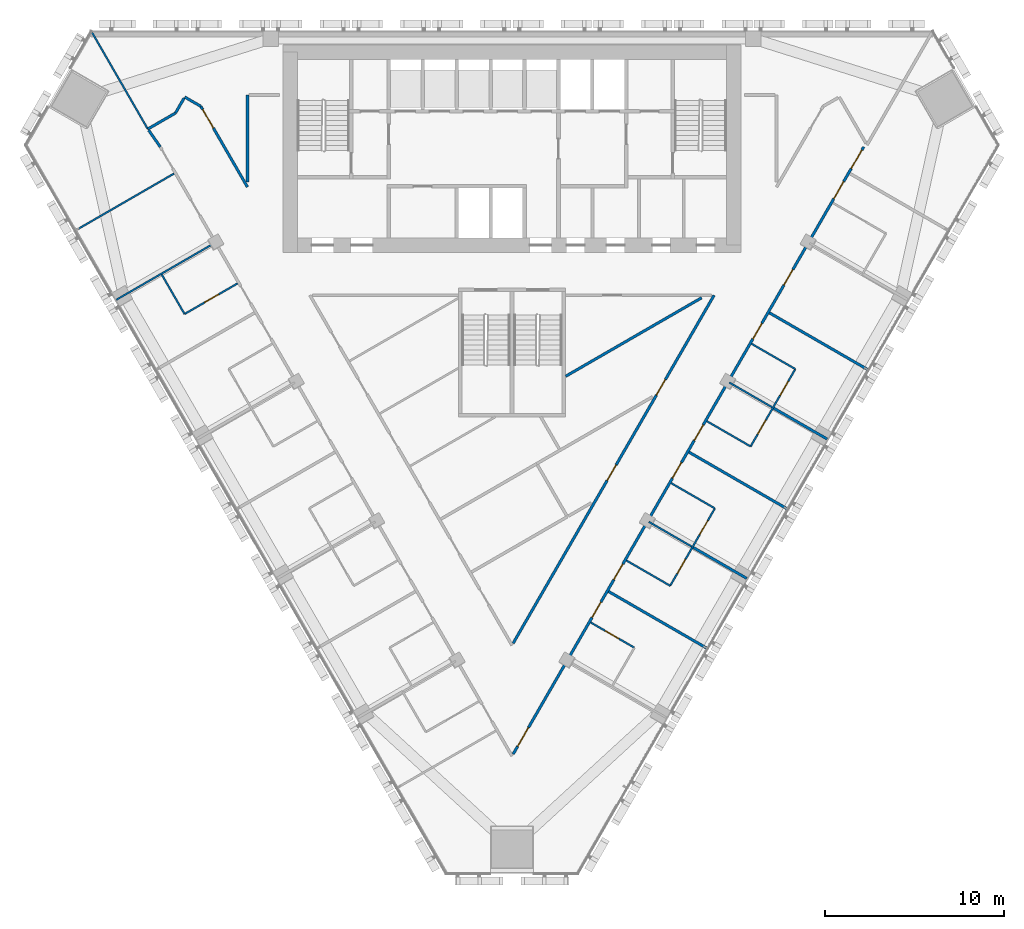
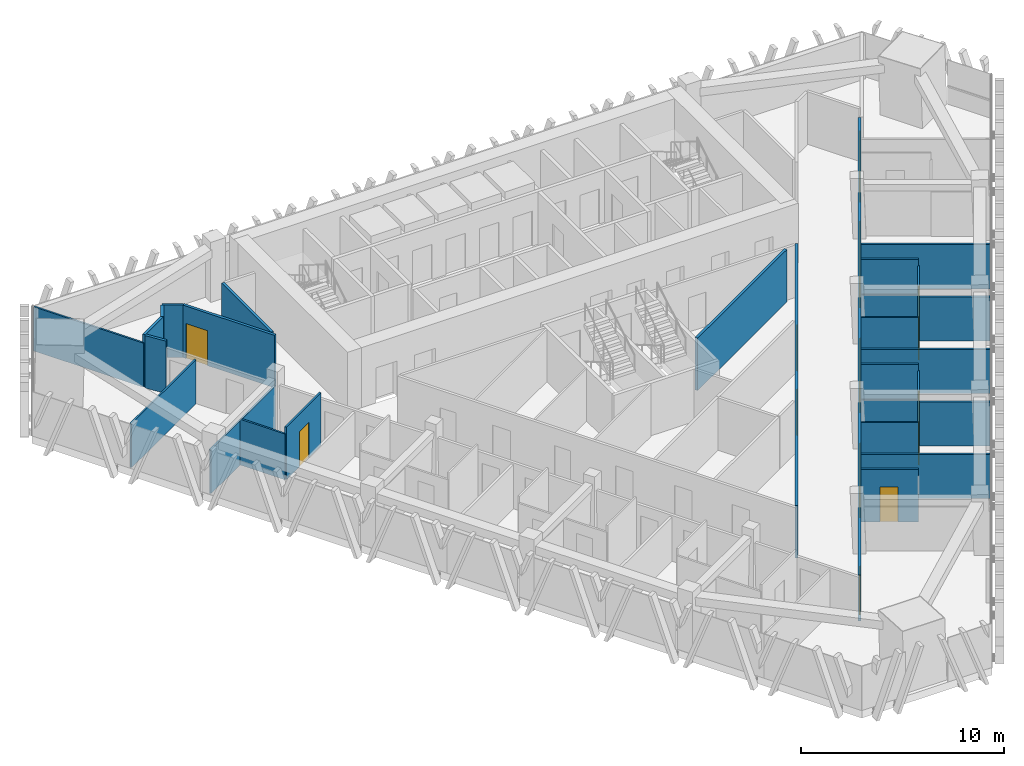
# One storey, part 10 of 16: 28 walls, 18 doors, 18 openings.
"""IFC4 building model written with IfcOpenShell, lengths in metres."""

from ifc_helpers import new_model, si_unit, direction, frame, frame_2d, origin, place, context, subcontext, project, spatial, rectangle, extrude, material, layer, layer_set, type_object, element, fill, save


model = new_model("IFC4")

# Units and contexts
model_context = context("Model", 3, precision=1e-05, world=origin(), true_north=direction((0.0, 1.0)))
body_context = subcontext(model_context, "Body", "Model", "MODEL_VIEW")
ifc_project = project(units=[si_unit("LENGTHUNIT", "METRE"), si_unit("AREAUNIT", "SQUARE_METRE"), si_unit("VOLUMEUNIT", "CUBIC_METRE"), si_unit("PLANEANGLEUNIT", "RADIAN"), si_unit("MASSUNIT", "GRAM", prefix="KILO")], contexts=[model_context])

# Site, building, storey
site_placement = place(None, origin())
site = spatial("IfcSite", under=ifc_project, at=site_placement, CompositionType="ELEMENT")
building_placement = place(site_placement, origin())
building = spatial("IfcBuilding", under=site, at=building_placement, Name="Altiplano Prism Tower", CompositionType="ELEMENT")
storey_placement = place(building_placement, frame((0.0, 0.0, 149.39990234375)))
storey = spatial("IfcBuildingStorey", under=building, at=storey_placement, Name="L38", CompositionType="ELEMENT", Elevation=149.39990234375)

# Wall, opening, door
ifc_material_1 = material(Name="Plasterboard on steel stud", Category="steel")
ifc_layer_1 = layer(ifc_material_1, 0.10009765625)
ifc_layer_set_1 = layer_set([ifc_layer_1], Name="Plasterboard on steel stud")
wall_type_1 = type_object("IfcWallType", Name="Partition 100 unit", PredefinedType="PARTITIONING", material=ifc_layer_set_1)
wall_1_placement = place(storey_placement, frame((69.647216796875, 90.86279296875, 0.0), z_axis=(0.0, 0.0, 1.0), x_axis=(-0.866001587311, -0.500041249073, 0.0)))
wall_1 = element("IfcWall", 1, at=wall_1_placement, inside=storey, type_object=wall_type_1, Name="Partition P02 L38 030", PredefinedType="PARTITIONING", context=body_context, shape_type="SweptSolid", body=[
    extrude(rectangle(XDim=3.425048828125, YDim=0.10009765625, at=frame_2d((1.71240234375, 0.0))), origin(), (0.0, 0.0, 1.0), 3.150146484375),
])
opening_1_placement = place(wall_1_placement, frame((1.22509765625, 0.0, 0.0)))
opening_1 = element("IfcOpeningElement", 2, at=opening_1_placement, cuts=wall_1, Name="Opening D1383", PredefinedType="OPENING", context=body_context, shape_type="SweptSolid", body=[
    extrude(rectangle(XDim=0.89990234375, YDim=2.10009765625, at=frame_2d((0.449951171875, 1.050048828125))), frame((0.0, 0.060546875, 0.0), z_axis=(0.0, -1.0, 0.0), x_axis=(1.0, 0.0, 0.0)), (0.0, 0.0, 1.0), 0.12109375),
])
ifc_material_2 = material(Name="Timber", Category="wood")
door_type_1 = type_object("IfcDoorType", Name="Accessible ensuite door 900 x 2100", OperationType="NOTDEFINED", PredefinedType="NOTDEFINED", material=ifc_material_2)
door_1_placement = place(opening_1_placement, origin())
door_1 = element("IfcDoor", 3, at=door_1_placement, inside=storey, type_object=door_type_1, Name="Door D1383", OperationType="SINGLE_SWING_LEFT", OverallHeight=2.10009765625, OverallWidth=0.89990234375, PredefinedType="NOTDEFINED", context=body_context, shape_type="SweptSolid", body=[
    extrude(rectangle(XDim=0.89990234375, YDim=2.10009765625, at=frame_2d((0.449951171875, 1.050048828125))), frame((0.0, 0.02490234375, 0.0), z_axis=(0.0, -1.0, 0.0), x_axis=(1.0, 0.0, 0.0)), (0.0, 0.0, 1.0), 0.050048828125),
])
fill(opening_1, door_1)

# Wall
wall_2_placement = place(storey_placement, frame((66.68115234375, 89.150146484375, 0.0), z_axis=(0.0, 0.0, 1.0), x_axis=(-0.499948979701, 0.866054858364, 0.0)))
element("IfcWall", 4, at=wall_2_placement, inside=storey, type_object=wall_type_1, Name="Partition P02 L38 031", PredefinedType="PARTITIONING", context=body_context, shape_type="SweptSolid", body=[
    extrude(rectangle(XDim=2.550048828125, YDim=0.10009765625, at=frame_2d((1.27490234375, 0.0))), origin(), (0.0, 0.0, 1.0), 2.75),
])

# Wall, opening, door
wall_3_placement = place(storey_placement, frame((89.402587890625, 71.896728515625, 0.0), z_axis=(0.0, 0.0, 1.0), x_axis=(0.866048868473, -0.499959355765, 0.0)))
wall_3 = element("IfcWall", 5, at=wall_3_placement, inside=storey, type_object=wall_type_1, Name="Partition P02 L38 053", PredefinedType="PARTITIONING", context=body_context, shape_type="SweptSolid", body=[
    extrude(rectangle(XDim=2.824951171875, YDim=0.10009765625, at=frame_2d((1.41259765625, 0.0))), origin(), (0.0, 0.0, 1.0), 3.150146484375),
])
opening_2_placement = place(wall_3_placement, frame((0.925048828125, 0.0, 0.0)))
opening_2 = element("IfcOpeningElement", 6, at=opening_2_placement, cuts=wall_3, Name="Opening D1398", PredefinedType="OPENING", context=body_context, shape_type="SweptSolid", body=[
    extrude(rectangle(XDim=0.89990234375, YDim=2.10009765625, at=frame_2d((0.449951171875, 1.050048828125))), frame((0.0, 0.060546875, 0.0), z_axis=(0.0, -1.0, 0.0), x_axis=(1.0, 0.0, 0.0)), (0.0, 0.0, 1.0), 0.12109375),
])
door_type_2 = type_object("IfcDoorType", Name="Ensuite door 900 x 2100", OperationType="NOTDEFINED", PredefinedType="NOTDEFINED", material=ifc_material_2)
door_2_placement = place(opening_2_placement, origin())
door_2 = element("IfcDoor", 7, at=door_2_placement, inside=storey, type_object=door_type_2, Name="Door D1398", OperationType="SINGLE_SWING_LEFT", OverallHeight=2.10009765625, OverallWidth=0.89990234375, PredefinedType="NOTDEFINED", context=body_context, shape_type="SweptSolid", body=[
    extrude(rectangle(XDim=0.89990234375, YDim=2.10009765625, at=frame_2d((0.449951171875, 1.050048828125))), frame((0.0, 0.02490234375, 0.0), z_axis=(0.0, -1.0, 0.0), x_axis=(1.0, 0.0, 0.0)), (0.0, 0.0, 1.0), 0.050048828125),
])
fill(opening_2, door_2)

# Walls
for number, where, z_axis, x_axis, name in (
    (8, (93.84912109375, 73.948486328125, 0.0), (0.0, 0.0, 1.0), (-0.866048868473, 0.499959355765, 0.0), "Partition P02 L38 056"),
    (9, (93.902587890625, 79.69091796875, 0.0), (0.0, 0.0, 1.0), (0.866048868473, -0.499959355765, 0.0), "Partition P02 L38 059"),
):
    element("IfcWall", number, at=place(storey_placement, frame(where, z_axis=z_axis, x_axis=x_axis)), inside=storey, type_object=wall_type_1, Name=name, PredefinedType="PARTITIONING", context=body_context, shape_type="SweptSolid", body=[
        extrude(rectangle(XDim=2.824951171875, YDim=0.10009765625, at=frame_2d((1.41259765625, 0.0))), origin(), (0.0, 0.0, 1.0), 3.150146484375),
    ])

# Wall, openings, doors
wall_4_placement = place(storey_placement, frame((96.34912109375, 78.278564453125, 0.0), z_axis=(0.0, 0.0, 1.0), x_axis=(-0.500004234368, -0.866022959057, 0.0)))
wall_4 = element("IfcWall", 10, at=wall_4_placement, inside=storey, type_object=wall_type_1, Name="Partition P02 L38 060", PredefinedType="PARTITIONING", context=body_context, shape_type="SweptSolid", body=[
    extrude(rectangle(XDim=5.0, YDim=0.10009765625, at=frame_2d((2.5, 0.0))), origin(), (0.0, 0.0, 1.0), 2.75),
])
opening_3_placement = place(wall_4_placement, frame((3.300048828125, 0.0, 0.0)))
opening_3 = element("IfcOpeningElement", 11, at=opening_3_placement, cuts=wall_4, Name="Opening D1400", PredefinedType="OPENING", context=body_context, shape_type="SweptSolid", body=[
    extrude(rectangle(XDim=0.89990234375, YDim=2.10009765625, at=frame_2d((0.449951171875, 1.050048828125))), frame((0.0, 0.060546875, 0.0), z_axis=(0.0, -1.0, 0.0), x_axis=(1.0, 0.0, 0.0)), (0.0, 0.0, 1.0), 0.12109375),
])
opening_4_placement = place(wall_4_placement, frame((0.800048828125, 0.0, 0.0)))
opening_4 = element("IfcOpeningElement", 12, at=opening_4_placement, cuts=wall_4, Name="Opening D1402", PredefinedType="OPENING", context=body_context, shape_type="SweptSolid", body=[
    extrude(rectangle(XDim=0.89990234375, YDim=2.10009765625, at=frame_2d((0.449951171875, 1.050048828125))), frame((0.0, 0.060546875, 0.0), z_axis=(0.0, -1.0, 0.0), x_axis=(1.0, 0.0, 0.0)), (0.0, 0.0, 1.0), 0.12109375),
])
door_3_placement = place(opening_3_placement, origin())
door_3 = element("IfcDoor", 13, at=door_3_placement, inside=storey, type_object=door_type_2, Name="Door D1400", OperationType="SINGLE_SWING_LEFT", OverallHeight=2.10009765625, OverallWidth=0.89990234375, PredefinedType="NOTDEFINED", context=body_context, shape_type="SweptSolid", body=[
    extrude(rectangle(XDim=0.89990234375, YDim=2.10009765625, at=frame_2d((0.449951171875, 1.050048828125))), frame((0.0, 0.02490234375, 0.0), z_axis=(0.0, -1.0, 0.0), x_axis=(1.0, 0.0, 0.0)), (0.0, 0.0, 1.0), 0.050048828125),
])
fill(opening_3, door_3)
door_4_placement = place(opening_4_placement, origin())
door_4 = element("IfcDoor", 14, at=door_4_placement, inside=storey, type_object=door_type_2, Name="Door D1402", OperationType="SINGLE_SWING_LEFT", OverallHeight=2.10009765625, OverallWidth=0.89990234375, PredefinedType="NOTDEFINED", context=body_context, shape_type="SweptSolid", body=[
    extrude(rectangle(XDim=0.89990234375, YDim=2.10009765625, at=frame_2d((0.449951171875, 1.050048828125))), frame((0.0, 0.02490234375, 0.0), z_axis=(0.0, -1.0, 0.0), x_axis=(1.0, 0.0, 0.0)), (0.0, 0.0, 1.0), 0.050048828125),
])
fill(opening_4, door_4)

# Walls
for number, where, z_axis, x_axis, name in (
    (15, (98.34912109375, 81.74267578125, 0.0), (0.0, 0.0, 1.0), (-0.866048868473, 0.499959355765, 0.0), "Partition P02 L38 062"),
    (16, (98.402587890625, 87.4853515625, 0.0), (0.0, 0.0, 1.0), (0.866011447264, -0.500024172624, 0.0), "Partition P02 L38 065"),
):
    element("IfcWall", number, at=place(storey_placement, frame(where, z_axis=z_axis, x_axis=x_axis)), inside=storey, type_object=wall_type_1, Name=name, PredefinedType="PARTITIONING", context=body_context, shape_type="SweptSolid", body=[
        extrude(rectangle(XDim=2.824951171875, YDim=0.10009765625, at=frame_2d((1.41259765625, 0.0))), origin(), (0.0, 0.0, 1.0), 3.150146484375),
    ])

# Wall, openings, doors
wall_5_placement = place(storey_placement, frame((100.84912109375, 86.07275390625, 0.0), z_axis=(0.0, 0.0, 1.0), x_axis=(-0.500004234368, -0.866022959057, 0.0)))
wall_5 = element("IfcWall", 17, at=wall_5_placement, inside=storey, type_object=wall_type_1, Name="Partition P02 L38 066", PredefinedType="PARTITIONING", context=body_context, shape_type="SweptSolid", body=[
    extrude(rectangle(XDim=5.0, YDim=0.10009765625, at=frame_2d((2.5, 0.0))), origin(), (0.0, 0.0, 1.0), 2.75),
])
opening_5_placement = place(wall_5_placement, frame((3.300048828125, 0.0, 0.0)))
opening_5 = element("IfcOpeningElement", 18, at=opening_5_placement, cuts=wall_5, Name="Opening D1404", PredefinedType="OPENING", context=body_context, shape_type="SweptSolid", body=[
    extrude(rectangle(XDim=0.89990234375, YDim=2.10009765625, at=frame_2d((0.449951171875, 1.050048828125))), frame((0.0, 0.060546875, 0.0), z_axis=(0.0, -1.0, 0.0), x_axis=(1.0, 0.0, 0.0)), (0.0, 0.0, 1.0), 0.12109375),
])
opening_6_placement = place(wall_5_placement, frame((0.800048828125, 0.0, 0.0)))
opening_6 = element("IfcOpeningElement", 19, at=opening_6_placement, cuts=wall_5, Name="Opening D1406", PredefinedType="OPENING", context=body_context, shape_type="SweptSolid", body=[
    extrude(rectangle(XDim=0.89990234375, YDim=2.10009765625, at=frame_2d((0.449951171875, 1.050048828125))), frame((0.0, 0.060546875, 0.0), z_axis=(0.0, -1.0, 0.0), x_axis=(1.0, 0.0, 0.0)), (0.0, 0.0, 1.0), 0.12109375),
])
door_5_placement = place(opening_5_placement, origin())
door_5 = element("IfcDoor", 20, at=door_5_placement, inside=storey, type_object=door_type_2, Name="Door D1404", OperationType="SINGLE_SWING_RIGHT", OverallHeight=2.10009765625, OverallWidth=0.89990234375, PredefinedType="NOTDEFINED", context=body_context, shape_type="SweptSolid", body=[
    extrude(rectangle(XDim=0.89990234375, YDim=2.10009765625, at=frame_2d((0.449951171875, 1.050048828125))), frame((0.0, 0.02490234375, 0.0), z_axis=(0.0, -1.0, 0.0), x_axis=(1.0, 0.0, 0.0)), (0.0, 0.0, 1.0), 0.050048828125),
])
fill(opening_5, door_5)
door_6_placement = place(opening_6_placement, origin())
door_6 = element("IfcDoor", 21, at=door_6_placement, inside=storey, type_object=door_type_2, Name="Door D1406", OperationType="SINGLE_SWING_LEFT", OverallHeight=2.10009765625, OverallWidth=0.89990234375, PredefinedType="NOTDEFINED", context=body_context, shape_type="SweptSolid", body=[
    extrude(rectangle(XDim=0.89990234375, YDim=2.10009765625, at=frame_2d((0.449951171875, 1.050048828125))), frame((0.0, 0.02490234375, 0.0), z_axis=(0.0, -1.0, 0.0), x_axis=(1.0, 0.0, 0.0)), (0.0, 0.0, 1.0), 0.050048828125),
])
fill(opening_6, door_6)

# Walls
ifc_layer_2 = layer(ifc_material_1, 0.10009765625)
ifc_layer_set_2 = layer_set([ifc_layer_2], Name="Plasterboard on steel stud")
wall_type_2 = type_object("IfcWallType", Name="Partition 100 wet", PredefinedType="PARTITIONING", material=ifc_layer_set_2)
wall_6_placement = place(storey_placement, frame((60.602294921875, 93.8388671875, 0.0), z_axis=(0.0, 0.0, 1.0), x_axis=(0.866025401434, 0.500000004071, 0.0)))
element("IfcWall", 22, at=wall_6_placement, inside=storey, type_object=wall_type_2, Name="Partition P03 L38 027", PredefinedType="PARTITIONING", context=body_context, shape_type="SweptSolid", body=[
    extrude(rectangle(XDim=6.34521484375, YDim=0.10009765625, at=frame_2d((3.172607421875, 0.0))), origin(), (0.0, 0.0, 1.0), 2.650146484375),
])
wall_7_placement = place(storey_placement, frame((64.624755859375, 99.5, 0.0), z_axis=(0.0, 0.0, 1.0), x_axis=(-0.500004896655, 0.866022576681, 0.0)))
element("IfcWall", 23, at=wall_7_placement, inside=storey, type_object=wall_type_2, Name="Partition P03 L38 028", PredefinedType="PARTITIONING", context=body_context, shape_type="SweptSolid", body=[
    extrude(rectangle(XDim=6.2353515625, YDim=0.10009765625, at=frame_2d((3.11767578125, 0.0))), origin(), (0.0, 0.0, 1.0), 2.650146484375),
])
wall_8_placement = place(storey_placement, frame((62.86962890625, 89.951904296875, 0.0), z_axis=(0.0, 0.0, 1.0), x_axis=(0.866025537322, 0.499999768706, 0.0)))
element("IfcWall", 24, at=wall_8_placement, inside=storey, type_object=wall_type_2, Name="Partition P03 L38 029", PredefinedType="PARTITIONING", context=body_context, shape_type="SweptSolid", body=[
    extrude(rectangle(XDim=6.3251953125, YDim=0.10009765625, at=frame_2d((3.16259765625, 0.0))), origin(), (0.0, 0.0, 1.0), 2.650146484375),
])
for number, where, z_axis, x_axis, name in (
    (25, (95.055908203125, 76.138427734375, 0.0), (0.0, 0.0, 1.0), (-0.866042014628, 0.499971228071, 0.0), "Partition P03 L38 058"),
    (26, (99.555908203125, 83.9326171875, 0.0), (0.0, 0.0, 1.0), (-0.866042014628, 0.499971228071, 0.0), "Partition P03 L38 064"),
):
    element("IfcWall", number, at=place(storey_placement, frame(where, z_axis=z_axis, x_axis=x_axis)), inside=storey, type_object=wall_type_2, Name=name, PredefinedType="PARTITIONING", context=body_context, shape_type="SweptSolid", body=[
        extrude(rectangle(XDim=2.775146484375, YDim=0.10009765625, at=frame_2d((1.3876953125, 0.0))), origin(), (0.0, 0.0, 1.0), 2.75),
    ])

# Wall, openings, doors
ifc_layer_3 = layer(ifc_material_1, 0.14990234375)
ifc_layer_set_3 = layer_set([ifc_layer_3], Name="Plasterboard on steel stud")
wall_type_3 = type_object("IfcWallType", Name="Partition 150 corridor", PredefinedType="PARTITIONING", material=ifc_layer_set_3)
wall_9_placement = place(storey_placement, frame((96.303955078125, 90.199951171875, 0.0), z_axis=(0.0, 0.0, 1.0), x_axis=(-0.500004509943, -0.866022799952, 0.0)))
wall_9 = element("IfcWall", 27, at=wall_9_placement, inside=storey, type_object=wall_type_3, Name="Partition P06 L38 003", PredefinedType="PARTITIONING", context=body_context, shape_type="SweptSolid", body=[
    extrude(rectangle(XDim=22.477783203125, YDim=0.14990234375, at=frame_2d((11.23876953125, 0.0))), origin(), (0.0, 0.0, 1.0), 3.150146484375),
])
opening_7_placement = place(wall_9_placement, frame((10.9599609375, 0.0, 0.0)))
opening_7 = element("IfcOpeningElement", 28, at=opening_7_placement, cuts=wall_9, Name="Opening D1376", PredefinedType="OPENING", context=body_context, shape_type="SweptSolid", body=[
    extrude(rectangle(XDim=1.0, YDim=2.10009765625, at=frame_2d((0.5, 1.050048828125))), frame((0.0, 0.08544921875, 0.0), z_axis=(0.0, -1.0, 0.0), x_axis=(1.0, 0.0, 0.0)), (0.0, 0.0, 1.0), 0.1708984375),
])
opening_8_placement = place(wall_9_placement, frame((5.447021484375, 0.0, 0.0)))
opening_8 = element("IfcOpeningElement", 29, at=opening_8_placement, cuts=wall_9, Name="Opening D1413", PredefinedType="OPENING", context=body_context, shape_type="SweptSolid", body=[
    extrude(rectangle(XDim=1.0, YDim=2.10009765625, at=frame_2d((0.5, 1.050048828125))), frame((0.0, 0.08544921875, 0.0), z_axis=(0.0, -1.0, 0.0), x_axis=(1.0, 0.0, 0.0)), (0.0, 0.0, 1.0), 0.1708984375),
])
door_type_3 = type_object("IfcDoorType", Name="Room door 1000 x 2100", OperationType="NOTDEFINED", PredefinedType="NOTDEFINED", material=ifc_material_2)
door_7_placement = place(opening_8_placement, origin())
door_7 = element("IfcDoor", 30, at=door_7_placement, inside=storey, type_object=door_type_3, Name="Door D1413", OperationType="SINGLE_SWING_LEFT", OverallHeight=2.10009765625, OverallWidth=1.0, PredefinedType="NOTDEFINED", context=body_context, shape_type="SweptSolid", body=[
    extrude(rectangle(XDim=1.0, YDim=2.10009765625, at=frame_2d((0.5, 1.050048828125))), frame((0.0, 0.02490234375, 0.0), z_axis=(0.0, -1.0, 0.0), x_axis=(1.0, 0.0, 0.0)), (0.0, 0.0, 1.0), 0.050048828125),
])
fill(opening_8, door_7)
door_type_4 = type_object("IfcDoorType", Name="Store door 1000 x 2100", OperationType="NOTDEFINED", PredefinedType="NOTDEFINED", material=ifc_material_2)
door_8_placement = place(opening_7_placement, origin())
door_8 = element("IfcDoor", 31, at=door_8_placement, inside=storey, type_object=door_type_4, Name="Door D1376", OperationType="SINGLE_SWING_LEFT", OverallHeight=2.10009765625, OverallWidth=1.0, PredefinedType="NOTDEFINED", context=body_context, shape_type="SweptSolid", body=[
    extrude(rectangle(XDim=1.0, YDim=2.10009765625, at=frame_2d((0.5, 1.050048828125))), frame((0.0, 0.02490234375, 0.0), z_axis=(0.0, -1.0, 0.0), x_axis=(1.0, 0.0, 0.0)), (0.0, 0.0, 1.0), 0.050048828125),
])
fill(opening_7, door_8)

# Wall
wall_10_placement = place(storey_placement, frame((64.6728515625, 99.433837890625, 0.0), z_axis=(0.0, 0.0, 1.0), x_axis=(0.57223860729, -0.820087176053, 0.0)))
element("IfcWall", 32, at=wall_10_placement, inside=storey, type_object=wall_type_3, Name="Partition P06 L38 005", PredefinedType="PARTITIONING", context=body_context, shape_type="SweptSolid", body=[
    extrude(rectangle(XDim=1.138671875, YDim=0.14990234375, at=frame_2d((0.5693359375, 0.0))), origin(), (0.0, 0.0, 1.0), 3.150146484375),
])

# Wall, openings, doors
wall_11_placement = place(storey_placement, frame((85.06494140625, 64.53369140625, 0.0), z_axis=(0.0, 0.0, 1.0), x_axis=(0.500002644497, 0.866023876978, 0.0)))
wall_11 = element("IfcWall", 33, at=wall_11_placement, inside=storey, type_object=wall_type_3, Name="Partition P06 L38 007", PredefinedType="PARTITIONING", context=body_context, shape_type="SweptSolid", body=[
    extrude(rectangle(XDim=39.220947265625, YDim=0.14990234375, at=frame_2d((19.6103515625, 0.0))), origin(), (0.0, 0.0, 1.0), 2.75),
])
opening_9_placement = place(wall_11_placement, frame((0.506103515625, 0.0, 0.0)))
opening_9 = element("IfcOpeningElement", 34, at=opening_9_placement, cuts=wall_11, Name="Opening D1396", PredefinedType="OPENING", context=body_context, shape_type="SweptSolid", body=[
    extrude(rectangle(XDim=1.199951171875, YDim=2.10009765625, at=frame_2d((0.60009765625, 1.050048828125))), frame((0.0, 0.08544921875, 0.0), z_axis=(0.0, -1.0, 0.0), x_axis=(1.0, 0.0, 0.0)), (0.0, 0.0, 1.0), 0.1708984375),
])
opening_10_placement = place(wall_11_placement, frame((8.824951171875, 0.0, 0.0)))
opening_10 = element("IfcOpeningElement", 35, at=opening_10_placement, cuts=wall_11, Name="Opening D1397", PredefinedType="OPENING", context=body_context, shape_type="SweptSolid", body=[
    extrude(rectangle(XDim=1.0, YDim=2.10009765625, at=frame_2d((0.5, 1.050048828125))), frame((0.0, 0.08544921875, 0.0), z_axis=(0.0, -1.0, 0.0), x_axis=(1.0, 0.0, 0.0)), (0.0, 0.0, 1.0), 0.1708984375),
])
opening_11_placement = place(wall_11_placement, frame((11.26611328125, 0.0, 0.0)))
opening_11 = element("IfcOpeningElement", 36, at=opening_11_placement, cuts=wall_11, Name="Opening D1399", PredefinedType="OPENING", context=body_context, shape_type="SweptSolid", body=[
    extrude(rectangle(XDim=1.0, YDim=2.10009765625, at=frame_2d((0.5, 1.050048828125))), frame((0.0, 0.08544921875, 0.0), z_axis=(0.0, -1.0, 0.0), x_axis=(1.0, 0.0, 0.0)), (0.0, 0.0, 1.0), 0.1708984375),
])
opening_12_placement = place(wall_11_placement, frame((17.824951171875, 0.0, 0.0)))
opening_12 = element("IfcOpeningElement", 37, at=opening_12_placement, cuts=wall_11, Name="Opening D1401", PredefinedType="OPENING", context=body_context, shape_type="SweptSolid", body=[
    extrude(rectangle(XDim=1.0, YDim=2.10009765625, at=frame_2d((0.5, 1.050048828125))), frame((0.0, 0.08544921875, 0.0), z_axis=(0.0, -1.0, 0.0), x_axis=(1.0, 0.0, 0.0)), (0.0, 0.0, 1.0), 0.1708984375),
])
opening_13_placement = place(wall_11_placement, frame((20.26611328125, 0.0, 0.0)))
opening_13 = element("IfcOpeningElement", 38, at=opening_13_placement, cuts=wall_11, Name="Opening D1403", PredefinedType="OPENING", context=body_context, shape_type="SweptSolid", body=[
    extrude(rectangle(XDim=1.0, YDim=2.10009765625, at=frame_2d((0.5, 1.050048828125))), frame((0.0, 0.08544921875, 0.0), z_axis=(0.0, -1.0, 0.0), x_axis=(1.0, 0.0, 0.0)), (0.0, 0.0, 1.0), 0.1708984375),
])
opening_14_placement = place(wall_11_placement, frame((26.824951171875, 0.0, 0.0)))
opening_14 = element("IfcOpeningElement", 39, at=opening_14_placement, cuts=wall_11, Name="Opening D1405", PredefinedType="OPENING", context=body_context, shape_type="SweptSolid", body=[
    extrude(rectangle(XDim=1.0, YDim=2.10009765625, at=frame_2d((0.5, 1.050048828125))), frame((0.0, 0.08544921875, 0.0), z_axis=(0.0, -1.0, 0.0), x_axis=(1.0, 0.0, 0.0)), (0.0, 0.0, 1.0), 0.1708984375),
])
opening_15_placement = place(wall_11_placement, frame((30.2958984375, 0.0, 0.0)))
opening_15 = element("IfcOpeningElement", 40, at=opening_15_placement, cuts=wall_11, Name="Opening D1407", PredefinedType="OPENING", context=body_context, shape_type="SweptSolid", body=[
    extrude(rectangle(XDim=1.0, YDim=2.10009765625, at=frame_2d((0.5, 1.050048828125))), frame((0.0, 0.08544921875, 0.0), z_axis=(0.0, -1.0, 0.0), x_axis=(1.0, 0.0, 0.0)), (0.0, 0.0, 1.0), 0.1708984375),
])
opening_16_placement = place(wall_11_placement, frame((35.875, 0.0, 0.0)))
opening_16 = element("IfcOpeningElement", 41, at=opening_16_placement, cuts=wall_11, Name="Opening D1408", PredefinedType="OPENING", context=body_context, shape_type="SweptSolid", body=[
    extrude(rectangle(XDim=1.10009765625, YDim=2.10009765625, at=frame_2d((0.550048828125, 1.050048828125))), frame((0.0, 0.08544921875, 0.0), z_axis=(0.0, -1.0, 0.0), x_axis=(1.0, 0.0, 0.0)), (0.0, 0.0, 1.0), 0.1708984375),
])
opening_17_placement = place(wall_11_placement, frame((37.821044921875, 0.0, 0.0)))
opening_17 = element("IfcOpeningElement", 42, at=opening_17_placement, cuts=wall_11, Name="Opening D1410", PredefinedType="OPENING", context=body_context, shape_type="SweptSolid", body=[
    extrude(rectangle(XDim=1.199951171875, YDim=2.10009765625, at=frame_2d((0.60009765625, 1.050048828125))), frame((0.0, 0.08544921875, 0.0), z_axis=(0.0, -1.0, 0.0), x_axis=(1.0, 0.0, 0.0)), (0.0, 0.0, 1.0), 0.1708984375),
])
door_type_5 = type_object("IfcDoorType", Name="Accessible bedroom door 1100 x 2100", OperationType="NOTDEFINED", PredefinedType="NOTDEFINED", material=ifc_material_2)
door_9_placement = place(opening_16_placement, origin())
door_9 = element("IfcDoor", 43, at=door_9_placement, inside=storey, type_object=door_type_5, Name="Door D1408", OperationType="SINGLE_SWING_LEFT", OverallHeight=2.10009765625, OverallWidth=1.10009765625, PredefinedType="NOTDEFINED", context=body_context, shape_type="SweptSolid", body=[
    extrude(rectangle(XDim=1.10009765625, YDim=2.10009765625, at=frame_2d((0.550048828125, 1.050048828125))), frame((0.0, 0.02490234375, 0.0), z_axis=(0.0, -1.0, 0.0), x_axis=(1.0, 0.0, 0.0)), (0.0, 0.0, 1.0), 0.050048828125),
])
fill(opening_16, door_9)
door_type_6 = type_object("IfcDoorType", Name="Bedroom entrance door 1000 x 2100", OperationType="NOTDEFINED", PredefinedType="NOTDEFINED", material=ifc_material_2)
door_10_placement = place(opening_10_placement, origin())
door_10 = element("IfcDoor", 44, at=door_10_placement, inside=storey, type_object=door_type_6, Name="Door D1397", OperationType="SINGLE_SWING_RIGHT", OverallHeight=2.10009765625, OverallWidth=1.0, PredefinedType="NOTDEFINED", context=body_context, shape_type="SweptSolid", body=[
    extrude(rectangle(XDim=1.0, YDim=2.10009765625, at=frame_2d((0.5, 1.050048828125))), frame((0.0, 0.02490234375, 0.0), z_axis=(0.0, -1.0, 0.0), x_axis=(1.0, 0.0, 0.0)), (0.0, 0.0, 1.0), 0.050048828125),
])
fill(opening_10, door_10)
door_11_placement = place(opening_11_placement, origin())
door_11 = element("IfcDoor", 45, at=door_11_placement, inside=storey, type_object=door_type_6, Name="Door D1399", OperationType="SINGLE_SWING_LEFT", OverallHeight=2.10009765625, OverallWidth=1.0, PredefinedType="NOTDEFINED", context=body_context, shape_type="SweptSolid", body=[
    extrude(rectangle(XDim=1.0, YDim=2.10009765625, at=frame_2d((0.5, 1.050048828125))), frame((0.0, 0.02490234375, 0.0), z_axis=(0.0, -1.0, 0.0), x_axis=(1.0, 0.0, 0.0)), (0.0, 0.0, 1.0), 0.050048828125),
])
fill(opening_11, door_11)
door_12_placement = place(opening_12_placement, origin())
door_12 = element("IfcDoor", 46, at=door_12_placement, inside=storey, type_object=door_type_6, Name="Door D1401", OperationType="SINGLE_SWING_RIGHT", OverallHeight=2.10009765625, OverallWidth=1.0, PredefinedType="NOTDEFINED", context=body_context, shape_type="SweptSolid", body=[
    extrude(rectangle(XDim=1.0, YDim=2.10009765625, at=frame_2d((0.5, 1.050048828125))), frame((0.0, 0.02490234375, 0.0), z_axis=(0.0, -1.0, 0.0), x_axis=(1.0, 0.0, 0.0)), (0.0, 0.0, 1.0), 0.050048828125),
])
fill(opening_12, door_12)
door_13_placement = place(opening_13_placement, origin())
door_13 = element("IfcDoor", 47, at=door_13_placement, inside=storey, type_object=door_type_6, Name="Door D1403", OperationType="SINGLE_SWING_LEFT", OverallHeight=2.10009765625, OverallWidth=1.0, PredefinedType="NOTDEFINED", context=body_context, shape_type="SweptSolid", body=[
    extrude(rectangle(XDim=1.0, YDim=2.10009765625, at=frame_2d((0.5, 1.050048828125))), frame((0.0, 0.02490234375, 0.0), z_axis=(0.0, -1.0, 0.0), x_axis=(1.0, 0.0, 0.0)), (0.0, 0.0, 1.0), 0.050048828125),
])
fill(opening_13, door_13)
door_14_placement = place(opening_14_placement, origin())
door_14 = element("IfcDoor", 48, at=door_14_placement, inside=storey, type_object=door_type_6, Name="Door D1405", OperationType="SINGLE_SWING_LEFT", OverallHeight=2.10009765625, OverallWidth=1.0, PredefinedType="NOTDEFINED", context=body_context, shape_type="SweptSolid", body=[
    extrude(rectangle(XDim=1.0, YDim=2.10009765625, at=frame_2d((0.5, 1.050048828125))), frame((0.0, 0.02490234375, 0.0), z_axis=(0.0, -1.0, 0.0), x_axis=(1.0, 0.0, 0.0)), (0.0, 0.0, 1.0), 0.050048828125),
])
fill(opening_14, door_14)
door_15_placement = place(opening_15_placement, origin())
door_15 = element("IfcDoor", 49, at=door_15_placement, inside=storey, type_object=door_type_3, Name="Door D1407", OperationType="SINGLE_SWING_LEFT", OverallHeight=2.10009765625, OverallWidth=1.0, PredefinedType="NOTDEFINED", context=body_context, shape_type="SweptSolid", body=[
    extrude(rectangle(XDim=1.0, YDim=2.10009765625, at=frame_2d((0.5, 1.050048828125))), frame((0.0, 0.02490234375, 0.0), z_axis=(0.0, -1.0, 0.0), x_axis=(1.0, 0.0, 0.0)), (0.0, 0.0, 1.0), 0.050048828125),
])
fill(opening_15, door_15)
door_type_7 = type_object("IfcDoorType", Name="Shared room door 1200 x 2100", OperationType="NOTDEFINED", PredefinedType="NOTDEFINED", material=ifc_material_2)
door_16_placement = place(opening_9_placement, origin())
door_16 = element("IfcDoor", 50, at=door_16_placement, inside=storey, type_object=door_type_7, Name="Door D1396", OperationType="SINGLE_SWING_LEFT", OverallHeight=2.10009765625, OverallWidth=1.199951171875, PredefinedType="NOTDEFINED", context=body_context, shape_type="SweptSolid", body=[
    extrude(rectangle(XDim=1.199951171875, YDim=2.10009765625, at=frame_2d((0.60009765625, 1.050048828125))), frame((0.0, 0.02490234375, 0.0), z_axis=(0.0, -1.0, 0.0), x_axis=(1.0, 0.0, 0.0)), (0.0, 0.0, 1.0), 0.050048828125),
])
fill(opening_9, door_16)
door_17_placement = place(opening_17_placement, origin())
door_17 = element("IfcDoor", 51, at=door_17_placement, inside=storey, type_object=door_type_7, Name="Door D1410", OperationType="SINGLE_SWING_RIGHT", OverallHeight=2.10009765625, OverallWidth=1.199951171875, PredefinedType="NOTDEFINED", context=body_context, shape_type="SweptSolid", body=[
    extrude(rectangle(XDim=1.199951171875, YDim=2.10009765625, at=frame_2d((0.60009765625, 1.050048828125))), frame((0.0, 0.02490234375, 0.0), z_axis=(0.0, -1.0, 0.0), x_axis=(1.0, 0.0, 0.0)), (0.0, 0.0, 1.0), 0.050048828125),
])
fill(opening_17, door_17)

# Wall
wall_12_placement = place(storey_placement, frame((70.199951171875, 101.39990234375, 0.0), z_axis=(0.0, 0.0, 1.0), x_axis=(0.0, -1.0, 0.0)))
element("IfcWall", 52, at=wall_12_placement, inside=storey, type_object=wall_type_3, Name="Partition P06 L38 014", PredefinedType="PARTITIONING", context=body_context, shape_type="SweptSolid", body=[
    extrude(rectangle(XDim=4.864501953125, YDim=0.14990234375, at=frame_2d((2.43212890625, 0.0))), origin(), (0.0, 0.0, 1.0), 3.150146484375),
])

# Wall, opening, door
wall_13_placement = place(storey_placement, frame((70.199951171875, 96.25537109375, 0.0), z_axis=(0.0, 0.0, 1.0), x_axis=(-0.499977898262, 0.866038163853, 0.0)))
wall_13 = element("IfcWall", 53, at=wall_13_placement, inside=storey, type_object=wall_type_3, Name="Partition P06 L38 015", PredefinedType="PARTITIONING", context=body_context, shape_type="SweptSolid", body=[
    extrude(rectangle(XDim=5.212158203125, YDim=0.14990234375, at=frame_2d((2.60595703125, 0.0))), origin(), (0.0, 0.0, 1.0), 3.150146484375),
])
opening_18_placement = place(wall_13_placement, frame((3.81201171875, 0.0, 0.0)))
opening_18 = element("IfcOpeningElement", 54, at=opening_18_placement, cuts=wall_13, Name="Opening D1412", PredefinedType="OPENING", context=body_context, shape_type="SweptSolid", body=[
    extrude(rectangle(XDim=1.199951171875, YDim=2.10009765625, at=frame_2d((0.60009765625, 1.050048828125))), frame((0.0, 0.08544921875, 0.0), z_axis=(0.0, -1.0, 0.0), x_axis=(1.0, 0.0, 0.0)), (0.0, 0.0, 1.0), 0.1708984375),
])
door_18_placement = place(opening_18_placement, origin())
door_18 = element("IfcDoor", 55, at=door_18_placement, inside=storey, type_object=door_type_7, Name="Door D1412", OperationType="SINGLE_SWING_RIGHT", OverallHeight=2.10009765625, OverallWidth=1.199951171875, PredefinedType="NOTDEFINED", context=body_context, shape_type="SweptSolid", body=[
    extrude(rectangle(XDim=1.199951171875, YDim=2.10009765625, at=frame_2d((0.60009765625, 1.050048828125))), frame((0.0, 0.02490234375, 0.0), z_axis=(0.0, -1.0, 0.0), x_axis=(1.0, 0.0, 0.0)), (0.0, 0.0, 1.0), 0.050048828125),
])
fill(opening_18, door_18)

# Walls
wall_14_placement = place(storey_placement, frame((67.593994140625, 100.769287109375, 0.0), z_axis=(0.0, 0.0, 1.0), x_axis=(-0.866045268016, 0.499965592563, 0.0)))
element("IfcWall", 56, at=wall_14_placement, inside=storey, type_object=wall_type_3, Name="Partition P06 L38 016", PredefinedType="PARTITIONING", context=body_context, shape_type="SweptSolid", body=[
    extrude(rectangle(XDim=1.04296875, YDim=0.14990234375, at=frame_2d((0.521484375, 0.0))), origin(), (0.0, 0.0, 1.0), 3.150146484375),
])
wall_15_placement = place(storey_placement, frame((66.6533203125, 101.225830078125, 0.0), z_axis=(0.0, 0.0, 1.0), x_axis=(-0.500074377092, -0.865982457891, 0.0)))
element("IfcWall", 57, at=wall_15_placement, inside=storey, type_object=wall_type_3, Name="Partition P06 L38 017", PredefinedType="PARTITIONING", context=body_context, shape_type="SweptSolid", body=[
    extrude(rectangle(XDim=0.960693359375, YDim=0.14990234375, at=frame_2d((0.48046875, 0.0))), origin(), (0.0, 0.0, 1.0), 3.150146484375),
])
wall_16_placement = place(storey_placement, frame((66.1728515625, 100.393798828125, 0.0), z_axis=(0.0, 0.0, 1.0), x_axis=(-0.866024106094, -0.50000224766, 0.0)))
element("IfcWall", 58, at=wall_16_placement, inside=storey, type_object=wall_type_3, Name="Partition P06 L38 018", PredefinedType="PARTITIONING", context=body_context, shape_type="SweptSolid", body=[
    extrude(rectangle(XDim=1.78759765625, YDim=0.14990234375, at=frame_2d((0.893798828125, 0.0))), origin(), (0.0, 0.0, 1.0), 3.150146484375),
])
ifc_layer_4 = layer(ifc_material_1, 0.14990234375)
ifc_layer_set_4 = layer_set([ifc_layer_4], Name="Plasterboard on steel stud")
wall_type_4 = type_object("IfcWallType", Name="Partition 150 party", PredefinedType="PARTITIONING", material=ifc_layer_set_4)
wall_17_placement = place(storey_placement, frame((88.0, 85.667236328125, 0.0), z_axis=(0.0, 0.0, 1.0), x_axis=(0.86602686142, 0.499997475293, 0.0)))
element("IfcWall", 59, at=wall_17_placement, inside=storey, type_object=wall_type_4, Name="Partition P01 L38 025", PredefinedType="PARTITIONING", context=body_context, shape_type="SweptSolid", body=[
    extrude(rectangle(XDim=8.78564453125, YDim=0.14990234375, at=frame_2d((4.392822265625, 0.0))), origin(), (0.0, 0.0, 1.0), 3.150146484375),
])
wall_18_placement = place(storey_placement, frame((95.897705078125, 70.456298828125, 0.0), z_axis=(0.0, 0.0, 1.0), x_axis=(-0.866025401434, 0.500000004071, 0.0)))
element("IfcWall", 60, at=wall_18_placement, inside=storey, type_object=wall_type_4, Name="Partition P01 L38 055", PredefinedType="PARTITIONING", context=body_context, shape_type="SweptSolid", body=[
    extrude(rectangle(XDim=6.34521484375, YDim=0.14990234375, at=frame_2d((3.172607421875, 0.0))), origin(), (0.0, 0.0, 1.0), 2.650146484375),
])
wall_19_placement = place(storey_placement, frame((98.13037109375, 74.363525390625, 0.0), z_axis=(0.0, 0.0, 1.0), x_axis=(-0.866044174857, 0.499967486139, 0.0)))
element("IfcWall", 61, at=wall_19_placement, inside=storey, type_object=wall_type_4, Name="Partition P01 L38 057", PredefinedType="PARTITIONING", context=body_context, shape_type="SweptSolid", body=[
    extrude(rectangle(XDim=3.449951171875, YDim=0.14990234375, at=frame_2d((1.72509765625, 0.0))), origin(), (0.0, 0.0, 1.0), 2.650146484375),
])
wall_20_placement = place(storey_placement, frame((100.397705078125, 78.25048828125, 0.0), z_axis=(0.0, 0.0, 1.0), x_axis=(-0.866025401434, 0.500000004071, 0.0)))
element("IfcWall", 62, at=wall_20_placement, inside=storey, type_object=wall_type_4, Name="Partition P01 L38 061", PredefinedType="PARTITIONING", context=body_context, shape_type="SweptSolid", body=[
    extrude(rectangle(XDim=6.34521484375, YDim=0.14990234375, at=frame_2d((3.172607421875, 0.0))), origin(), (0.0, 0.0, 1.0), 2.650146484375),
])
wall_21_placement = place(storey_placement, frame((102.63037109375, 82.15771484375, 0.0), z_axis=(0.0, 0.0, 1.0), x_axis=(-0.866044174857, 0.499967486139, 0.0)))
element("IfcWall", 63, at=wall_21_placement, inside=storey, type_object=wall_type_4, Name="Partition P01 L38 063", PredefinedType="PARTITIONING", context=body_context, shape_type="SweptSolid", body=[
    extrude(rectangle(XDim=3.449951171875, YDim=0.14990234375, at=frame_2d((1.72509765625, 0.0))), origin(), (0.0, 0.0, 1.0), 2.650146484375),
])
wall_22_placement = place(storey_placement, frame((104.897705078125, 86.044677734375, 0.0), z_axis=(0.0, 0.0, 1.0), x_axis=(-0.866025401434, 0.500000004071, 0.0)))
element("IfcWall", 64, at=wall_22_placement, inside=storey, type_object=wall_type_4, Name="Partition P01 L38 067", PredefinedType="PARTITIONING", context=body_context, shape_type="SweptSolid", body=[
    extrude(rectangle(XDim=6.34521484375, YDim=0.14990234375, at=frame_2d((3.172607421875, 0.0))), origin(), (0.0, 0.0, 1.0), 2.650146484375),
])

save(model, "model.ifc")
